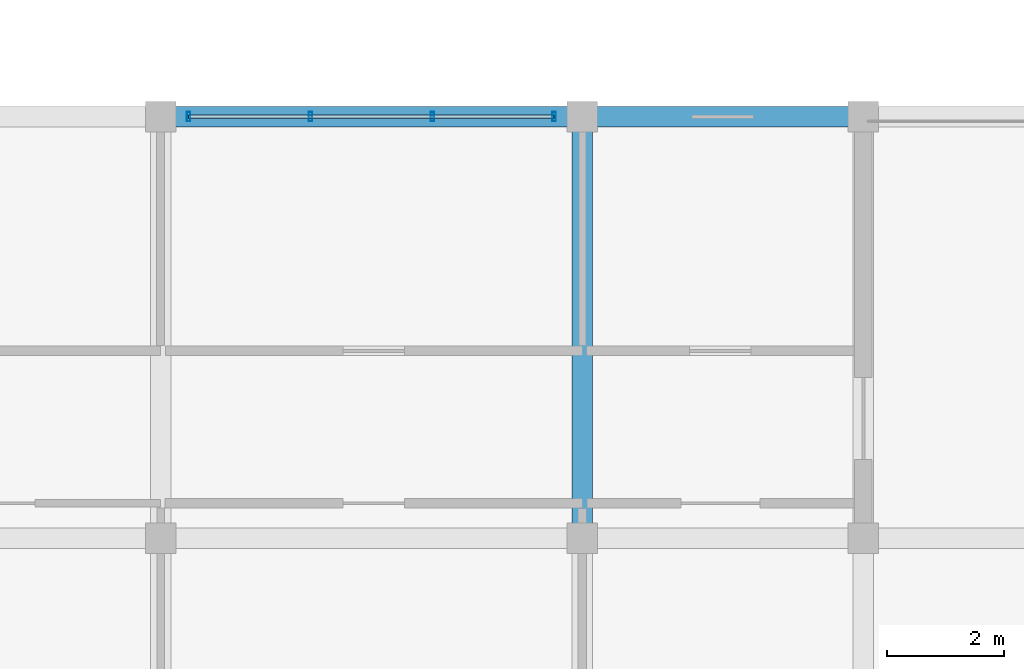
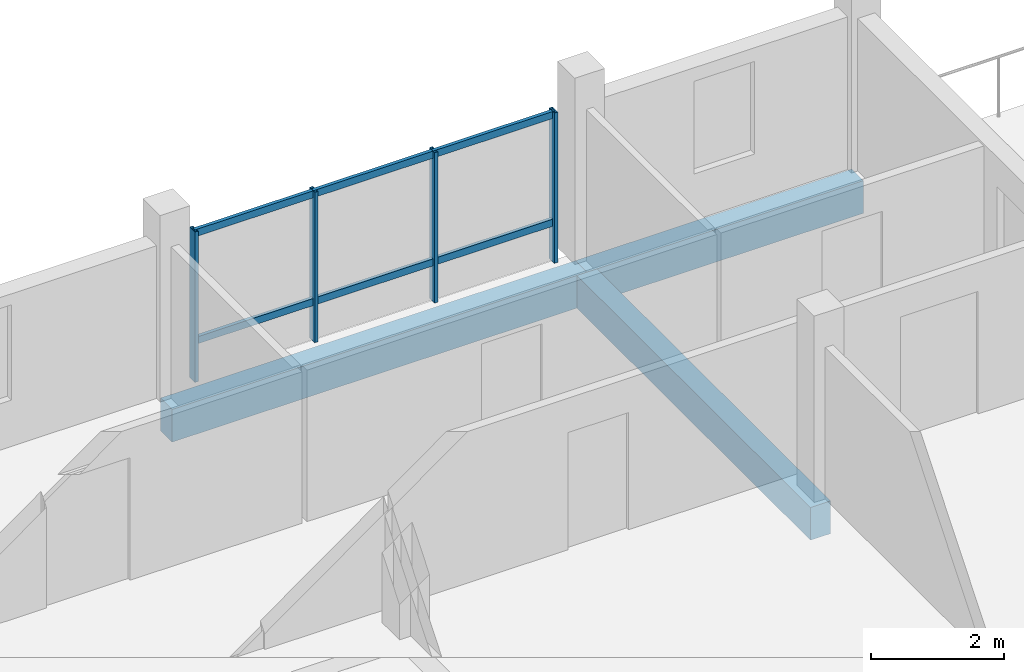
# One storey, part 6 of 26: 6 members, 3 beams, 1 element without a shape of its own.
"""IFC4 building model written with IfcOpenShell, lengths in metres."""

from ifc_helpers import new_model, si_unit, direction, frame, origin, origin_2d, place, context, subcontext, project, spatial, rectangle, hollow_rectangle, extrude, material, material_profile, profile_set, type_object, element, aggregate, save


model = new_model("IFC4")

# Units and contexts
model_context = context("Model", 3, precision=1e-05, world=origin(), true_north=direction((0.0, 1.0)))
body_context = subcontext(model_context, "Body", "Model", "MODEL_VIEW")
ifc_project = project(units=[si_unit("LENGTHUNIT", "METRE"), si_unit("AREAUNIT", "SQUARE_METRE"), si_unit("VOLUMEUNIT", "CUBIC_METRE"), si_unit("PLANEANGLEUNIT", "RADIAN"), si_unit("MASSUNIT", "GRAM", prefix="KILO")], contexts=[model_context])

# Site, building, storey
site_placement = place(None, origin())
site = spatial("IfcSite", under=ifc_project, at=site_placement, CompositionType="ELEMENT")
building_placement = place(site_placement, origin())
building = spatial("IfcBuilding", under=site, at=building_placement, Name="Zornivar Specialist Clinic", CompositionType="ELEMENT")
storey_placement = place(building_placement, frame((0.0, 0.0, 19.699951171875)))
storey = spatial("IfcBuildingStorey", under=building, at=storey_placement, Name="L05", CompositionType="ELEMENT", Elevation=19.699951171875)

# Beams
ifc_material_1 = material(Name="Concrete C30/37", Category="concrete")
ifc_material_profile_1 = material_profile(ifc_material_1, rectangle(XDim=0.35009765625, YDim=0.60009765625, at=origin_2d()), Name="RC 350x600")
ifc_profile_set_1 = profile_set([ifc_material_profile_1], Name="Concrete C30/37")
beam_type = type_object("IfcBeamType", Name="BM-RC-350x600", PredefinedType="BEAM", material=ifc_profile_set_1)
beam_1_placement = place(storey_placement, frame((21.60009765625, 14.39990234375, -0.579833984375), z_axis=(1.0, 0.0, 0.0), x_axis=(0.0, 1.0, 0.0)))
element("IfcBeam", 1, at=beam_1_placement, inside=storey, type_object=beam_type, Name="bm:V2:L05:x:144:3", PredefinedType="BEAM", context=body_context, shape_type="SweptSolid", body=[
    extrude(rectangle(XDim=0.35009765625, YDim=0.60009765625, at=origin_2d()), origin(), (0.0, 0.0, 1.0), 7.199951171875),
])
beam_2_placement = place(storey_placement, frame((28.800048828125, 14.39990234375, -0.579833984375), z_axis=(1.0, 0.0, 0.0), x_axis=(0.0, 1.0, 0.0)))
element("IfcBeam", 2, at=beam_2_placement, inside=storey, type_object=beam_type, Name="bm:V2:L05:x:144:4", PredefinedType="BEAM", context=body_context, shape_type="SweptSolid", body=[
    extrude(rectangle(XDim=0.35009765625, YDim=0.60009765625, at=origin_2d()), origin(), (0.0, 0.0, 1.0), 4.800048828125),
])
beam_3_placement = place(storey_placement, frame((28.800048828125, 7.199951171875, -0.579833984375), z_axis=(0.0, 1.0, 0.0), x_axis=(-1.0, 0.0, 0.0)))
element("IfcBeam", 3, at=beam_3_placement, inside=storey, type_object=beam_type, Name="bm:V2:L05:y:288:1", PredefinedType="BEAM", context=body_context, shape_type="SweptSolid", body=[
    extrude(rectangle(XDim=0.35009765625, YDim=0.60009765625, at=origin_2d()), origin(), (0.0, 0.0, 1.0), 7.199951171875),
])

# Curtain wall, members
ifc_material_2 = material(Name="Aluminium and Low-E Glass Curtain Wall", Category="aluminium")
curtain_wall_type = type_object("IfcCurtainWallType", Name="CW-REVAK-COURT", PredefinedType="NOTDEFINED", material=ifc_material_2)
curtain_wall_placement = place(storey_placement, origin())
curtain_wall = element("IfcCurtainWall", 4, at=curtain_wall_placement, inside=storey, type_object=curtain_wall_type, Name="cw:V2:L05:08", PredefinedType="NOTDEFINED")
ifc_material_3 = material(Name="Aluminium AW-6060", Category="aluminium")
ifc_material_profile_2 = material_profile(ifc_material_3, hollow_rectangle(XDim=0.06005859375, YDim=0.159912109375, WallThickness=0.00390625, at=origin_2d()), Name="ALU 60x160x4")
ifc_profile_set_2 = profile_set([ifc_material_profile_2], Name="Aluminium AW-6060")
member_type_1 = type_object("IfcMemberType", Name="CWM-MUL-160", PredefinedType="MULLION", material=ifc_profile_set_2)
member_1_placement = place(storey_placement, frame((28.320068359375, 14.39990234375, 0.0), z_axis=(0.0, 0.0, 1.0), x_axis=(1.0, 0.0, 0.0)))
member_1 = element("IfcMember", 5, at=member_1_placement, type_object=member_type_1, Name="cw:V2:L05:08:mul:0", PredefinedType="MULLION", context=body_context, shape_type="SweptSolid", body=[
    extrude(hollow_rectangle(XDim=0.06005859375, YDim=0.159912109375, WallThickness=0.00390625, at=origin_2d()), origin(), (0.0, 0.0, 1.0), 2.760009765625),
])
member_2_placement = place(storey_placement, frame((26.239990234375, 14.39990234375, 0.0), z_axis=(0.0, 0.0, 1.0), x_axis=(1.0, 0.0, 0.0)))
member_2 = element("IfcMember", 6, at=member_2_placement, type_object=member_type_1, Name="cw:V2:L05:08:mul:1", PredefinedType="MULLION", context=body_context, shape_type="SweptSolid", body=[
    extrude(hollow_rectangle(XDim=0.06005859375, YDim=0.159912109375, WallThickness=0.00390625, at=origin_2d()), origin(), (0.0, 0.0, 1.0), 2.760009765625),
])
member_3_placement = place(storey_placement, frame((24.159912109375, 14.39990234375, 0.0), z_axis=(0.0, 0.0, 1.0), x_axis=(1.0, 0.0, 0.0)))
member_3 = element("IfcMember", 7, at=member_3_placement, type_object=member_type_1, Name="cw:V2:L05:08:mul:2", PredefinedType="MULLION", context=body_context, shape_type="SweptSolid", body=[
    extrude(hollow_rectangle(XDim=0.06005859375, YDim=0.159912109375, WallThickness=0.00390625, at=origin_2d()), origin(), (0.0, 0.0, 1.0), 2.760009765625),
])
member_4_placement = place(storey_placement, frame((22.080078125, 14.39990234375, 0.0), z_axis=(0.0, 0.0, 1.0), x_axis=(1.0, 0.0, 0.0)))
member_4 = element("IfcMember", 8, at=member_4_placement, type_object=member_type_1, Name="cw:V2:L05:08:mul:3", PredefinedType="MULLION", context=body_context, shape_type="SweptSolid", body=[
    extrude(hollow_rectangle(XDim=0.06005859375, YDim=0.159912109375, WallThickness=0.00390625, at=origin_2d()), origin(), (0.0, 0.0, 1.0), 2.760009765625),
])
ifc_material_4 = material(Name="Aluminium AW-6060", Category="aluminium")
ifc_material_profile_3 = material_profile(ifc_material_4, hollow_rectangle(XDim=0.06005859375, YDim=0.1298828125, WallThickness=0.00390625, at=origin_2d()), Name="ALU 60x130x4")
ifc_profile_set_3 = profile_set([ifc_material_profile_3], Name="Aluminium AW-6060")
member_type_2 = type_object("IfcMemberType", Name="CWM-TRN-130", PredefinedType="USERDEFINED", material=ifc_profile_set_3)
member_5_placement = place(storey_placement, frame((28.320068359375, 14.39990234375, 0.718017578125), z_axis=(-1.0, 0.0, 0.0), x_axis=(0.0, -1.0, 0.0)))
member_5 = element("IfcMember", 9, at=member_5_placement, type_object=member_type_2, Name="cw:V2:L05:08:trn:0", ObjectType="TRANSOM", PredefinedType="USERDEFINED", context=body_context, shape_type="SweptSolid", body=[
    extrude(hollow_rectangle(XDim=0.06005859375, YDim=0.1298828125, WallThickness=0.00390625, at=origin_2d()), origin(), (0.0, 0.0, 1.0), 6.239990234375),
])
member_6_placement = place(storey_placement, frame((28.320068359375, 14.39990234375, 2.695068359375), z_axis=(-1.0, 0.0, 0.0), x_axis=(0.0, -1.0, 0.0)))
member_6 = element("IfcMember", 10, at=member_6_placement, type_object=member_type_2, Name="cw:V2:L05:08:trn:1", ObjectType="TRANSOM", PredefinedType="USERDEFINED", context=body_context, shape_type="SweptSolid", body=[
    extrude(hollow_rectangle(XDim=0.06005859375, YDim=0.1298828125, WallThickness=0.00390625, at=origin_2d()), origin(), (0.0, 0.0, 1.0), 6.239990234375),
])
aggregate(curtain_wall, [member_1, member_2, member_3, member_4, member_5, member_6])

save(model, "model.ifc")
